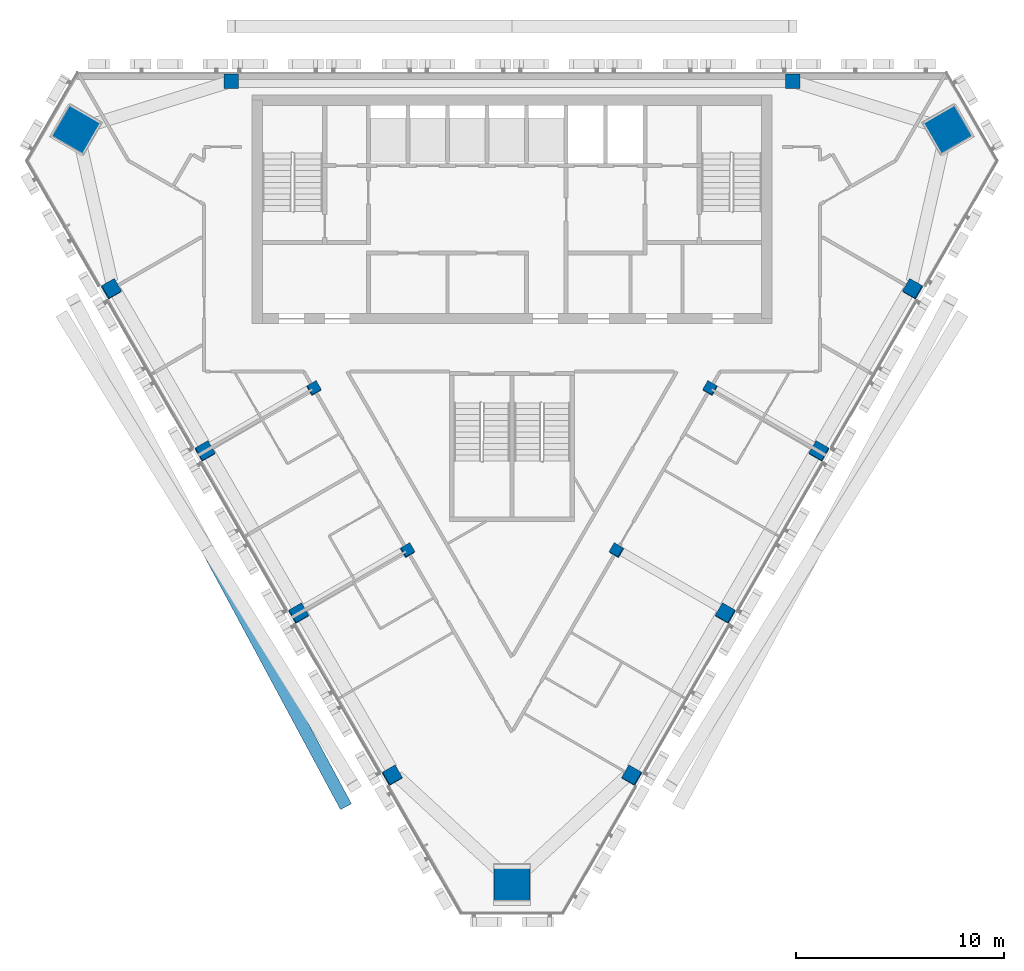
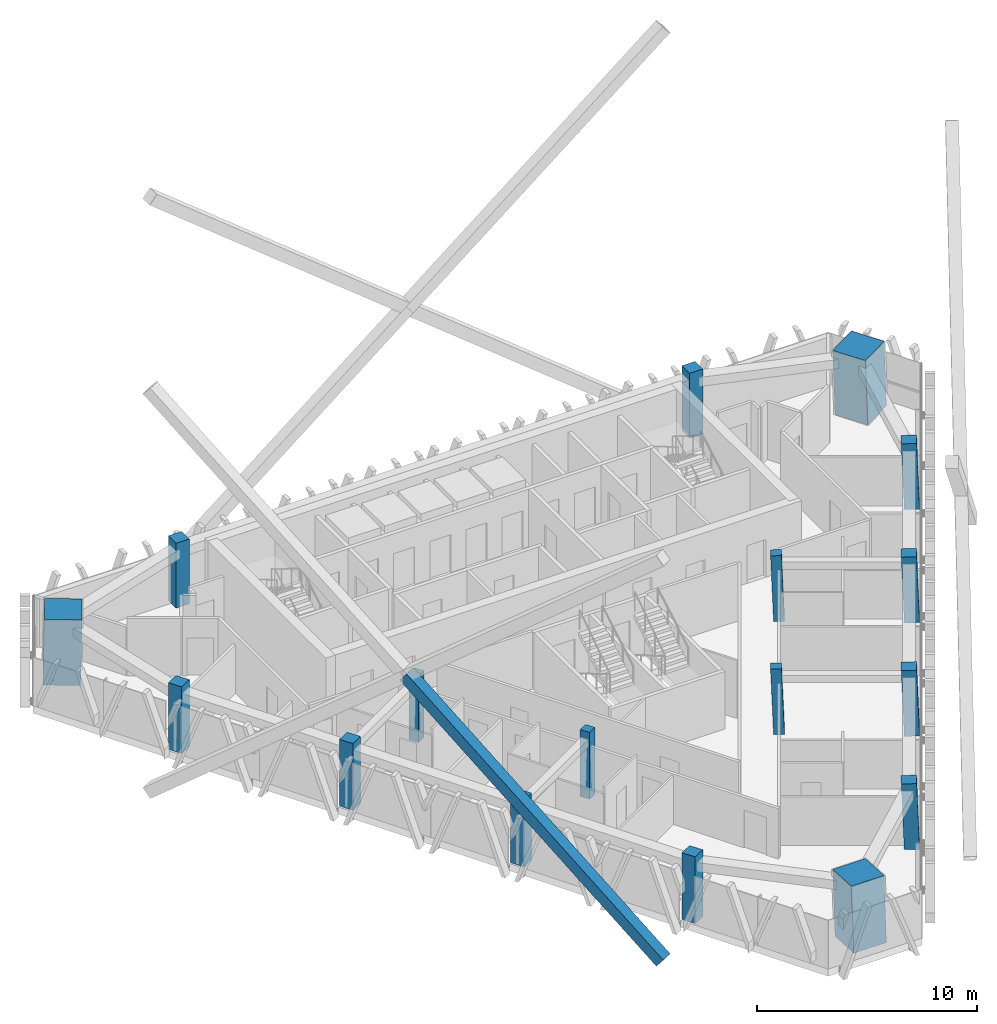
# One storey, part 1 of 14: 17 columns, 1 member.
"""IFC4 building model written with IfcOpenShell, lengths in metres."""

import ifcopenshell
import ifcopenshell.guid

model = None  # the IFC model being written
_history = None  # IfcOwnerHistory: only IFC2X3 demands one
_inside = {}  # id of a spatial element -> (the spatial element, [elements in it])
_under = {}  # id of a project, library or spatial element -> (it, [spatial elements below it])
_declared = {}  # id of a project -> (the project, [libraries it declares])
_typed = {}  # id of a type object -> (the type object, [elements of that type])
_made_of = {}  # id of a material, layer set ... -> (it, [elements and type objects made of it])


def new_model(schema):
    """Start an empty IFC model of exactly this schema.

    Asked for "IFC4X3", IfcOpenShell would pick the latest addendum, in which some entities
    have other attributes; the version numbers below select the first issue.
    IFC2X3 requires an IfcOwnerHistory on every rooted entity: one is made here for all.
    """
    global model, _history
    if schema == "IFC4X3":
        model = ifcopenshell.file(schema_version=(4, 3, 0, 0))
    else:
        model = ifcopenshell.file(schema=schema)
    _inside.clear()
    _under.clear()
    _declared.clear()
    _typed.clear()
    _made_of.clear()
    _history = None
    if model.schema == "IFC2X3":
        org = make("IfcOrganization", Name="unknown")
        user = make(
            "IfcPersonAndOrganization",
            ThePerson=make("IfcPerson", FamilyName="unknown"),
            TheOrganization=org,
        )
        app = make(
            "IfcApplication",
            ApplicationDeveloper=org,
            Version="unknown",
            ApplicationFullName="unknown",
            ApplicationIdentifier="unknown",
        )
        _history = make(
            "IfcOwnerHistory",
            OwningUser=user,
            OwningApplication=app,
            ChangeAction="ADDED",
            CreationDate=0,
        )
    return model


def make(cls, **values):
    """One entity of the class cls with the attributes given. An attribute that is None is left unset."""
    return model.create_entity(
        cls, **{name: value for name, value in values.items() if value is not None}
    )


def rooted(cls, **values):
    """An entity with a GlobalId (a new one), such as an element, a storey or a relation."""
    return make(cls, GlobalId=ifcopenshell.guid.new(), OwnerHistory=_history, **values)


def si_unit(unit_type, name, prefix=None):
    """IfcSIUnit, for example si_unit("LENGTHUNIT", "METRE", prefix="MILLI")."""
    return make("IfcSIUnit", UnitType=unit_type, Prefix=prefix, Name=name)


def assignment(units):
    """IfcUnitAssignment: the units of a project."""
    return None if units is None else make("IfcUnitAssignment", Units=units)


def point(xyz):
    """IfcCartesianPoint."""
    return None if xyz is None else make("IfcCartesianPoint", Coordinates=xyz)


def direction(xyz):
    """IfcDirection."""
    return None if xyz is None else make("IfcDirection", DirectionRatios=xyz)


def frame(location, z_axis=None, x_axis=None):
    """IfcAxis2Placement3D, a coordinate frame: its origin and axes. An axis left out is left unset."""
    return make(
        "IfcAxis2Placement3D",
        Location=point(location),
        Axis=direction(z_axis),
        RefDirection=direction(x_axis),
    )


def frame_2d(location, x_axis=None):
    """IfcAxis2Placement2D, a coordinate frame in the plane: its origin and x axis."""
    return make(
        "IfcAxis2Placement2D", Location=point(location), RefDirection=direction(x_axis)
    )


def origin():
    """The frame at (0, 0, 0) with its axes left unset."""
    return frame((0.0, 0.0, 0.0))


def origin_2d():
    """The frame at (0, 0) in the plane with its x axis left unset."""
    return frame_2d((0.0, 0.0))


def place(relative_to, where):
    """IfcLocalPlacement: puts the frame where relative to a parent placement (None: the world)."""
    return make(
        "IfcLocalPlacement", PlacementRelTo=relative_to, RelativePlacement=where
    )


def context(
    kind, dimensions, precision=None, world=None, true_north=None, identifier=None
):
    """IfcGeometricRepresentationContext, for example the 3D "Model" context."""
    return make(
        "IfcGeometricRepresentationContext",
        ContextIdentifier=identifier,
        ContextType=kind,
        CoordinateSpaceDimension=dimensions,
        Precision=precision,
        WorldCoordinateSystem=world,
        TrueNorth=true_north,
    )


def subcontext(parent, identifier, kind, view, scale=None):
    """IfcGeometricRepresentationSubContext, for example "Body" below "Model"."""
    return make(
        "IfcGeometricRepresentationSubContext",
        ContextIdentifier=identifier,
        ContextType=kind,
        ParentContext=parent,
        TargetScale=scale,
        TargetView=view,
    )


def project(units=None, contexts=None):
    """IfcProject with its units and contexts."""
    return rooted(
        "IfcProject",
        Name="project",
        RepresentationContexts=contexts,
        UnitsInContext=assignment(units),
    )


def spatial(cls, under=None, at=None, **own):
    """A site, building, storey or space (cls), placed at a placement, below another one or the project."""
    s = rooted(cls, ObjectPlacement=at, **own)
    if under is not None:
        _under.setdefault(under.id(), (under, []))[1].append(s)
    return s


def profile(cls, at=None, kind="AREA", **sizes):
    """A parametric profile (cls). Its sizes go by their IFC names, for example OverallWidth=200.0."""
    return make(cls, ProfileType=kind, Position=at, **sizes)


def rectangle(**sizes):
    """IfcRectangleProfileDef."""
    return profile("IfcRectangleProfileDef", **sizes)


def hollow_rectangle(**sizes):
    """IfcRectangleHollowProfileDef."""
    return profile("IfcRectangleHollowProfileDef", **sizes)


def extrude(swept, where, along, depth):
    """IfcExtrudedAreaSolid: the profile swept, set in the frame where, extruded along a direction by depth."""
    return make(
        "IfcExtrudedAreaSolid",
        SweptArea=swept,
        Position=where,
        ExtrudedDirection=direction(along),
        Depth=depth,
    )


def shape(context_of_items, identifier, shape_type, items):
    """IfcShapeRepresentation: the items that make up one representation, for example the "Body"."""
    return make(
        "IfcShapeRepresentation",
        ContextOfItems=context_of_items,
        RepresentationIdentifier=identifier,
        RepresentationType=shape_type,
        Items=items,
    )


def material(Name=None, Category=None):
    """IfcMaterial."""
    return make("IfcMaterial", Name=Name, Category=Category)


def material_profile(
    of_material, cross_section, Name=None, Category=None, Priority=None
):
    """IfcMaterialProfile: a cross section and its material."""
    return make(
        "IfcMaterialProfile",
        Name=Name,
        Material=of_material,
        Profile=cross_section,
        Priority=Priority,
        Category=Category,
    )


def profile_set(profiles, Name=None, composite=None):
    """IfcMaterialProfileSet."""
    return make(
        "IfcMaterialProfileSet",
        Name=Name,
        MaterialProfiles=profiles,
        CompositeProfile=composite,
    )


def made_of(thing, what):
    """Note that an element or type object is made of a material, layer set ...; save() writes the relation."""
    if what is not None:
        _made_of.setdefault(what.id(), (what, []))[1].append(thing)
    return thing


def type_object(cls, material=None, **own):
    """A type object (cls), such as IfcWallType, which elements share."""
    return made_of(rooted(cls, **own), material)


def element(
    cls,
    number,
    at=None,
    inside=None,
    cuts=None,
    type_object=None,
    material=None,
    context=None,
    identifier="Body",
    shape_type=None,
    held_by="IfcProductDefinitionShape",
    body=None,
    shapes=None,
    **own,
):
    """One element of the class cls, such as IfcWall. Its Tag is "e" and its number.

    at: its placement. inside: the storey or other place that contains it. cuts: it is an
    opening in that element (IfcRelVoidsElement). A single representation is given by context,
    identifier, shape_type and body (its items); several are given by shapes. held_by: the class
    of the entity that holds the representations. save() writes the other relations.
    """
    e = rooted(cls, Tag="e%d" % number, ObjectPlacement=at, **own)
    if body is not None:
        shapes = [shape(context, identifier, shape_type, body)]
    if shapes is not None:
        e.Representation = make(held_by, Representations=shapes)
    if inside is not None:
        _inside.setdefault(inside.id(), (inside, []))[1].append(e)
    if cuts is not None:
        rooted(
            "IfcRelVoidsElement", RelatingBuildingElement=cuts, RelatedOpeningElement=e
        )
    if type_object is not None:
        _typed.setdefault(type_object.id(), (type_object, []))[1].append(e)
    return made_of(e, material)


def aggregate(whole, parts):
    """IfcRelAggregates: a whole, such as a stair, and the parts it consists of."""
    return rooted("IfcRelAggregates", RelatingObject=whole, RelatedObjects=parts)


def save(model, path):
    """Write the relations noted so far, then the file.

    IfcRelAggregates (storeys below a building ...), IfcRelContainedInSpatialStructure (elements
    in a storey), IfcRelDefinesByType, IfcRelAssociatesMaterial and IfcRelDeclares: one each for
    every whole, place, type object, material and project.
    """
    for whole, parts in _under.values():
        aggregate(whole, parts)
    for where, things in _inside.values():
        rooted(
            "IfcRelContainedInSpatialStructure",
            RelatedElements=things,
            RelatingStructure=where,
        )
    for kind, things in _typed.values():
        rooted("IfcRelDefinesByType", RelatedObjects=things, RelatingType=kind)
    for what, things in _made_of.values():
        rooted("IfcRelAssociatesMaterial", RelatedObjects=things, RelatingMaterial=what)
    for by, libraries in _declared.values():
        rooted("IfcRelDeclares", RelatingContext=by, RelatedDefinitions=libraries)
    model.write(path)


model = new_model("IFC4")

# Units and contexts
model_context = context("Model", 3, precision=1e-05, world=origin(), true_north=direction((0.0, 1.0)))
body_context = subcontext(model_context, "Body", "Model", "MODEL_VIEW")
ifc_project = project(units=[si_unit("LENGTHUNIT", "METRE"), si_unit("AREAUNIT", "SQUARE_METRE"), si_unit("VOLUMEUNIT", "CUBIC_METRE"), si_unit("PLANEANGLEUNIT", "RADIAN"), si_unit("MASSUNIT", "GRAM", prefix="KILO")], contexts=[model_context])

# Site, building, storey
site_placement = place(None, origin())
site = spatial("IfcSite", under=ifc_project, at=site_placement, CompositionType="ELEMENT")
building_placement = place(site_placement, origin())
building = spatial("IfcBuilding", under=site, at=building_placement, Name="Altiplano Prism Tower", CompositionType="ELEMENT")
storey_placement = place(building_placement, frame((0.0, 0.0, 264.39990234375)))
storey = spatial("IfcBuildingStorey", under=building, at=storey_placement, Name="L68", CompositionType="ELEMENT", Elevation=264.39990234375)

# Columns
ifc_material_1 = material(Name="Concrete C60/75", Category="concrete")
ifc_material_profile_1 = material_profile(ifc_material_1, rectangle(XDim=0.5, YDim=0.5, at=origin_2d()), Name="Inner column 500")
ifc_profile_set_1 = profile_set([ifc_material_profile_1], Name="Concrete C60/75")
column_type_1 = type_object("IfcColumnType", Name="Inner column 500", PredefinedType="COLUMN", material=ifc_profile_set_1)
for number, where, z_axis, x_axis, name in (
    (1, (75.467041015625, 89.78271484375, -0.0166015625), (0.022212328788, 0.038465252292, 0.999013031354), (-0.86563975744, -0.499187423735, 0.03846721103), "Inner column I12 L68"),
    (2, (79.967041015625, 81.988525390625, -0.0166015625), (0.022212328788, 0.038465252292, 0.999013031354), (-0.865642446172, -0.499182770382, 0.038467091643), "Inner column I13 L68"),
    (3, (90.032958984375, 81.988525390625, -0.0166015625), (-0.022212328788, 0.038465252292, 0.999013031354), (-0.500169739025, -0.865642527906, 0.022209143265), "Inner column I22 L68"),
    (4, (94.532958984375, 89.78271484375, -0.0166015625), (-0.022212328788, 0.038465252292, 0.999013031354), (-0.500174392377, -0.86563984448, 0.022208936481), "Inner column I23 L68"),
):
    element("IfcColumn", number, at=place(storey_placement, frame(where, z_axis=z_axis, x_axis=x_axis)), inside=storey, type_object=column_type_1, Name=name, PredefinedType="COLUMN", context=body_context, shape_type="SweptSolid", body=[
        extrude(rectangle(XDim=0.5, YDim=0.5, at=origin_2d()), origin(), (0.0, 0.0, 1.0), 3.605224609375),
    ])
ifc_material_2 = material(Name="Concrete C70/85", Category="concrete")
ifc_material_profile_2 = material_profile(ifc_material_2, rectangle(XDim=1.719970703125, YDim=1.719970703125, at=origin_2d()), Name="Mega column infill 1800")
ifc_profile_set_2 = profile_set([ifc_material_profile_2], Name="Concrete C70/85")
column_type_2 = type_object("IfcColumnType", Name="Mega column infill 1800", PredefinedType="COLUMN", material=ifc_profile_set_2)
column_1_placement = place(storey_placement, frame((63.99560546875, 102.2177734375, 0.0), z_axis=(0.028401814599, 0.009218727412, 0.999554076572), x_axis=(-0.865120184501, 0.501167311781, 0.019959758776)))
element("IfcColumn", 5, at=column_1_placement, inside=storey, type_object=column_type_2, Name="Mega column M0 L68", PredefinedType="COLUMN", context=body_context, shape_type="SweptSolid", body=[
    extrude(rectangle(XDim=1.719970703125, YDim=1.719970703125, at=origin_2d()), origin(), (0.0, 0.0, 1.0), 3.601806640625),
])
column_2_placement = place(storey_placement, frame((85.0, 65.837158203125, 0.0), z_axis=(0.0, 0.058356907999, 0.998295783467), x_axis=(-1.0, 0.0, 0.0)))
element("IfcColumn", 6, at=column_2_placement, inside=storey, type_object=column_type_2, Name="Mega column M1 L68", PredefinedType="COLUMN", context=body_context, shape_type="SweptSolid", body=[
    extrude(rectangle(XDim=1.719970703125, YDim=1.719970703125, at=origin_2d()), origin(), (0.0, 0.0, 1.0), 3.606201171875),
])
column_3_placement = place(storey_placement, frame((106.00439453125, 102.2177734375, 0.0), z_axis=(-0.028401814599, 0.009218727412, 0.999554076572), x_axis=(0.50075982596, -0.865301300512, 0.022209368232)))
element("IfcColumn", 7, at=column_3_placement, inside=storey, type_object=column_type_2, Name="Mega column M2 L68", PredefinedType="COLUMN", context=body_context, shape_type="SweptSolid", body=[
    extrude(rectangle(XDim=1.719970703125, YDim=1.719970703125, at=origin_2d()), origin(), (0.0, 0.0, 1.0), 3.601806640625),
])
ifc_material_profile_3 = material_profile(ifc_material_1, rectangle(XDim=0.699951171875, YDim=0.699951171875, at=origin_2d()), Name="Perimeter column 700")
ifc_profile_set_3 = profile_set([ifc_material_profile_3], Name="Concrete C60/75")
column_type_3 = type_object("IfcColumnType", Name="Perimeter column 700", PredefinedType="COLUMN", material=ifc_profile_set_3)
for number, where, z_axis, x_axis, name in (
    (8, (98.5, 104.550048828125, 0.0), (0.0, 0.0, 1.0), (1.0, 0.0, 0.0), "Perimeter column P01 L68"),
    (9, (71.5, 104.550048828125, 0.0), (0.0, 0.0, 1.0), (1.0, 0.0, 0.0), "Perimeter column P04 L68"),
):
    element("IfcColumn", number, at=place(storey_placement, frame(where, z_axis=z_axis, x_axis=x_axis)), inside=storey, type_object=column_type_3, Name=name, PredefinedType="COLUMN", context=body_context, shape_type="SweptSolid", body=[
        extrude(rectangle(XDim=0.699951171875, YDim=0.699951171875, at=origin_2d()), origin(), (0.0, 0.0, 1.0), 3.60009765625),
    ])
for number, where, z_axis, x_axis, name in (
    (10, (65.7275390625, 94.5517578125, -0.022705078125), (0.022212328788, 0.038465252292, 0.999013031354), (-0.86563975744, -0.499187423735, 0.03846721103), "Perimeter column P11 L68"),
    (11, (70.2275390625, 86.757568359375, -0.022705078125), (0.022212328788, 0.038465252292, 0.999013031354), (-0.86563975744, -0.499187423735, 0.03846721103), "Perimeter column P12 L68"),
    (12, (74.7275390625, 78.96337890625, -0.022705078125), (0.022212328788, 0.038465252292, 0.999013031354), (-0.865642446172, -0.499182770382, 0.038467091643), "Perimeter column P13 L68"),
    (13, (79.2275390625, 71.169189453125, -0.022705078125), (0.022212386598, 0.038397631711, 0.99901563139), (-0.86602441233, -0.498523716892, 0.038416415044), "Perimeter column P14 L68"),
    (14, (90.7724609375, 71.169189453125, -0.022705078125), (-0.022212386598, 0.038397631711, 0.99901563139), (-0.49950808515, -0.866025245345, 0.022179884909), "Perimeter column P21 L68"),
    (15, (95.2724609375, 78.96337890625, -0.022705078125), (-0.022212328788, 0.038465252292, 0.999013031354), (-0.500169739025, -0.865642527906, 0.022209143265), "Perimeter column P22 L68"),
    (16, (99.7724609375, 86.757568359375, -0.022705078125), (-0.022212328788, 0.038465252292, 0.999013031354), (-0.500174392377, -0.86563984448, 0.022208936481), "Perimeter column P23 L68"),
    (17, (104.2724609375, 94.5517578125, -0.022705078125), (-0.022212328788, 0.038465252292, 0.999013031354), (-0.500174392377, -0.86563984448, 0.022208936481), "Perimeter column P24 L68"),
):
    element("IfcColumn", number, at=place(storey_placement, frame(where, z_axis=z_axis, x_axis=x_axis)), inside=storey, type_object=column_type_3, Name=name, PredefinedType="COLUMN", context=body_context, shape_type="SweptSolid", body=[
        extrude(rectangle(XDim=0.699951171875, YDim=0.699951171875, at=origin_2d()), origin(), (0.0, 0.0, 1.0), 3.605224609375),
    ])

# Member
ifc_material_3 = material(Name="Steel S355", Category="steel")
ifc_material_profile_4 = material_profile(ifc_material_3, hollow_rectangle(XDim=0.60009765625, YDim=0.60009765625, WallThickness=0.030029296875, at=origin_2d()), Name="Mega brace Box 600x600x30")
ifc_profile_set_4 = profile_set([ifc_material_profile_4], Name="Steel S355")
member_type = type_object("IfcMemberType", Name="Mega brace Box 600x600x30", PredefinedType="BRACE", material=ifc_profile_set_4)
member_placement = place(storey_placement, frame((76.93310546875, 69.844970703125, -0.75), z_axis=(-0.371738044447, 0.69133656944, 0.619568054427), x_axis=(-0.880747542721, -0.47358607031, 0.0)))
element("IfcMember", 18, at=member_placement, inside=storey, type_object=member_type, Name="Mega brace 7.1.3", PredefinedType="BRACE", context=body_context, shape_type="SweptSolid", body=[
    extrude(hollow_rectangle(XDim=0.60009765625, YDim=0.60009765625, WallThickness=0.030029296875, at=origin_2d()), origin(), (0.0, 0.0, 1.0), 17.512451171875),
])

save(model, "model.ifc")
